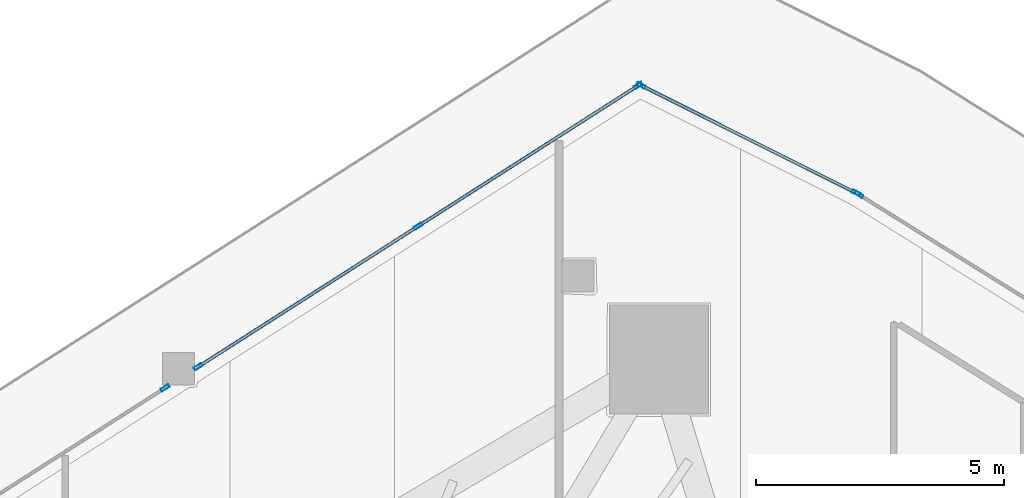
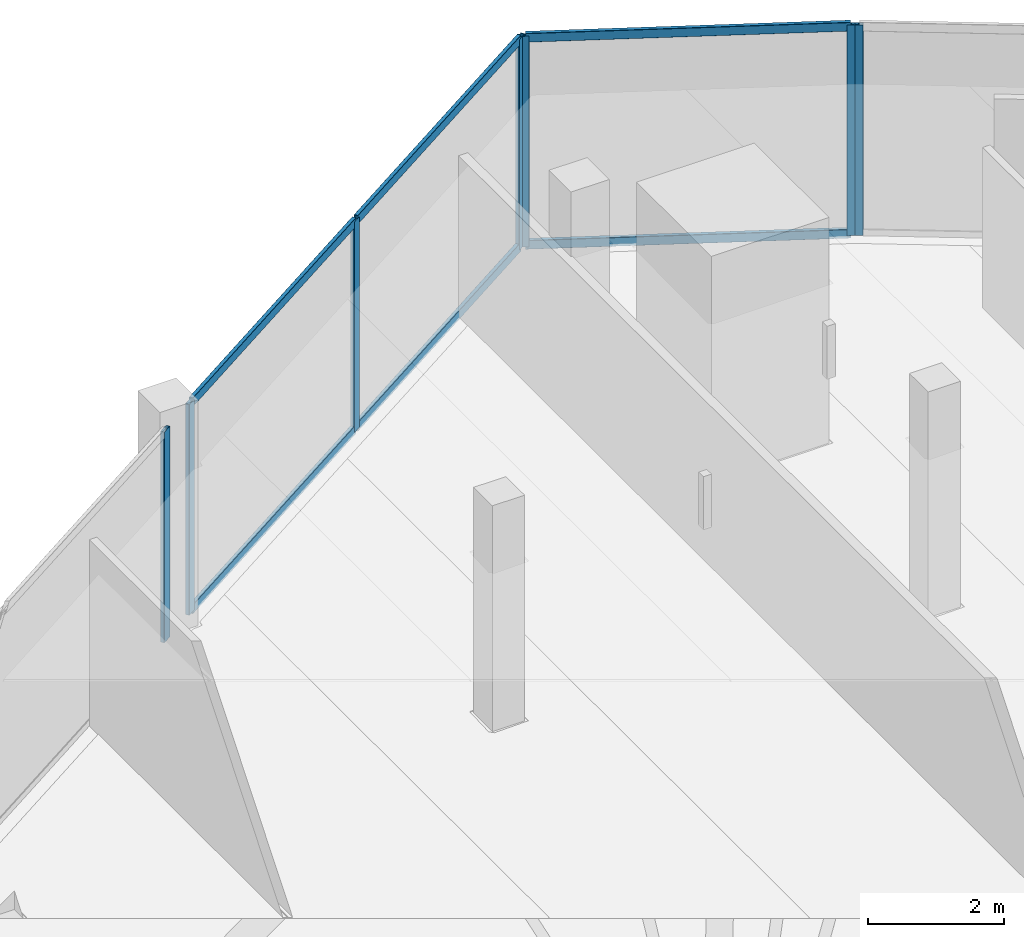
# One storey, part 20 of 35: 13 members, 4 elements without a shape of their own.
"""IFC4 building model written with IfcOpenShell, lengths in metres."""

from ifc_helpers import new_model, si_unit, direction, frame, origin, origin_2d, place, context, subcontext, project, spatial, hollow_rectangle, extrude, material, layer, layer_set, material_profile, profile_set, type_object, element, aggregate, save


model = new_model("IFC4")

# Units and contexts
model_context = context("Model", 3, precision=1e-05, world=origin(), true_north=direction((0.0, 1.0)))
body_context = subcontext(model_context, "Body", "Model", "MODEL_VIEW")
ifc_project = project(units=[si_unit("LENGTHUNIT", "METRE"), si_unit("AREAUNIT", "SQUARE_METRE"), si_unit("VOLUMEUNIT", "CUBIC_METRE"), si_unit("PLANEANGLEUNIT", "RADIAN"), si_unit("MASSUNIT", "GRAM", prefix="KILO")], contexts=[model_context])

# Site, building, storey
site_placement = place(None, origin())
site = spatial("IfcSite", under=ifc_project, at=site_placement, CompositionType="ELEMENT")
building_placement = place(site_placement, origin())
building = spatial("IfcBuilding", under=site, at=building_placement, Name="Qorvath Tower", CompositionType="ELEMENT")
storey_placement = place(building_placement, frame((0.0, 0.0, 130.050048828125)))
storey = spatial("IfcBuildingStorey", under=building, at=storey_placement, Name="L29", CompositionType="ELEMENT", Elevation=130.050048828125)

# Curtain wall, member
ifc_material_1 = material(Name="Anodised aluminium and triple low-E glass", Category="aluminium")
ifc_layer = layer(ifc_material_1, 0.179931640625)
ifc_layer_set = layer_set([ifc_layer], Name="CW-SYS-2")
curtain_wall_type = type_object("IfcCurtainWallType", Name="CW-SYS-2", PredefinedType="NOTDEFINED", material=ifc_layer_set)
curtain_wall_1_placement = place(storey_placement, origin())
curtain_wall_1 = element("IfcCurtainWall", 1, at=curtain_wall_1_placement, inside=storey, type_object=curtain_wall_type, Name="Curtain Wall CW-2 CW-T-L29-14.1", PredefinedType="NOTDEFINED")
ifc_material_2 = material(Name="Anodised aluminium 6063-T6", Category="aluminium")
ifc_material_profile_1 = material_profile(ifc_material_2, hollow_rectangle(XDim=0.06494140625, YDim=0.179931640625, WallThickness=0.00341796875, InnerFilletRadius=0.00341796875, OuterFilletRadius=0.007080078125, at=origin_2d()), Name="CWM 180x65")
ifc_profile_set_1 = profile_set([ifc_material_profile_1], Name="Anodised aluminium 6063-T6")
member_type_1 = type_object("IfcMemberType", Name="CWM-180", PredefinedType="MULLION", material=ifc_profile_set_1)
member_1_placement = place(storey_placement, frame((-11.310791015625, 28.572998046875, 0.0), z_axis=(0.0, 0.0, 1.0), x_axis=(-0.529503324069, -0.84830786263, 0.0)))
member_1 = element("IfcMember", 2, at=member_1_placement, type_object=member_type_1, Name="CW-2 mullion 3", PredefinedType="MULLION", context=body_context, shape_type="SweptSolid", body=[
    extrude(hollow_rectangle(XDim=0.06494140625, YDim=0.179931640625, WallThickness=0.00341796875, InnerFilletRadius=0.00341796875, OuterFilletRadius=0.007080078125, at=origin_2d()), origin(), (0.0, 0.0, 1.0), 3.780029296875),
])
aggregate(curtain_wall_1, [member_1])

# Curtain wall, members
curtain_wall_2_placement = place(storey_placement, origin())
curtain_wall_2 = element("IfcCurtainWall", 3, at=curtain_wall_2_placement, inside=storey, type_object=curtain_wall_type, Name="Curtain Wall CW-2 CW-T-L29-15.1", PredefinedType="NOTDEFINED")
member_2_placement = place(storey_placement, frame((-11.367431640625, 28.604736328125, 0.0), z_axis=(0.0, 0.0, 1.0), x_axis=(-0.447262398188, -0.894402787992, 0.0)))
member_2 = element("IfcMember", 4, at=member_2_placement, type_object=member_type_1, Name="CW-2 mullion 1", PredefinedType="MULLION", context=body_context, shape_type="SweptSolid", body=[
    extrude(hollow_rectangle(XDim=0.06494140625, YDim=0.179931640625, WallThickness=0.00341796875, InnerFilletRadius=0.00341796875, OuterFilletRadius=0.007080078125, at=origin_2d()), origin(), (0.0, 0.0, 1.0), 3.780029296875),
])
member_3_placement = place(storey_placement, frame((-15.707763671875, 30.775146484375, 0.0), z_axis=(0.0, 0.0, 1.0), x_axis=(-0.447262398188, -0.894402787992, 0.0)))
member_3 = element("IfcMember", 5, at=member_3_placement, type_object=member_type_1, Name="CW-2 mullion 2", PredefinedType="MULLION", context=body_context, shape_type="SweptSolid", body=[
    extrude(hollow_rectangle(XDim=0.06494140625, YDim=0.179931640625, WallThickness=0.00341796875, InnerFilletRadius=0.00341796875, OuterFilletRadius=0.007080078125, at=origin_2d()), origin(), (0.0, 0.0, 1.0), 3.780029296875),
])

curtain_wall_3_placement = place(storey_placement, origin())
curtain_wall_3 = element("IfcCurtainWall", 6, at=curtain_wall_3_placement, inside=storey, type_object=curtain_wall_type, Name="Curtain Wall CW-2 CW-T-L29-16.1", PredefinedType="NOTDEFINED")
member_4_placement = place(storey_placement, frame((-15.76416015625, 30.772216796875, 0.0), z_axis=(0.0, 0.0, 1.0), x_axis=(0.538548392681, -0.842594581481, 0.0)))
member_4 = element("IfcMember", 7, at=member_4_placement, type_object=member_type_1, Name="CW-2 mullion 1", PredefinedType="MULLION", context=body_context, shape_type="SweptSolid", body=[
    extrude(hollow_rectangle(XDim=0.06494140625, YDim=0.179931640625, WallThickness=0.00341796875, InnerFilletRadius=0.00341796875, OuterFilletRadius=0.007080078125, at=origin_2d()), origin(), (0.0, 0.0, 1.0), 3.780029296875),
])
member_5_placement = place(storey_placement, frame((-20.2021484375, 27.935546875, 0.0), z_axis=(0.0, 0.0, 1.0), x_axis=(0.538548392681, -0.842594581481, 0.0)))
member_5 = element("IfcMember", 8, at=member_5_placement, type_object=member_type_1, Name="CW-2 mullion 2", PredefinedType="MULLION", context=body_context, shape_type="SweptSolid", body=[
    extrude(hollow_rectangle(XDim=0.06494140625, YDim=0.179931640625, WallThickness=0.00341796875, InnerFilletRadius=0.00341796875, OuterFilletRadius=0.007080078125, at=origin_2d()), origin(), (0.0, 0.0, 1.0), 3.780029296875),
])
member_6_placement = place(storey_placement, frame((-24.64013671875, 25.09912109375, 0.0), z_axis=(0.0, 0.0, 1.0), x_axis=(0.538548392681, -0.842594581481, 0.0)))
member_6 = element("IfcMember", 9, at=member_6_placement, type_object=member_type_1, Name="CW-2 mullion 3", PredefinedType="MULLION", context=body_context, shape_type="SweptSolid", body=[
    extrude(hollow_rectangle(XDim=0.06494140625, YDim=0.179931640625, WallThickness=0.00341796875, InnerFilletRadius=0.00341796875, OuterFilletRadius=0.007080078125, at=origin_2d()), origin(), (0.0, 0.0, 1.0), 3.780029296875),
])

# Curtain wall, member
curtain_wall_4_placement = place(storey_placement, origin())
curtain_wall_4 = element("IfcCurtainWall", 10, at=curtain_wall_4_placement, inside=storey, type_object=curtain_wall_type, Name="Curtain Wall CW-2 CW-T-L29-16.2", PredefinedType="NOTDEFINED")
member_7_placement = place(storey_placement, frame((-25.3095703125, 24.671142578125, 0.0), z_axis=(0.0, 0.0, 1.0), x_axis=(0.538529520478, -0.842606643442, 0.0)))
member_7 = element("IfcMember", 11, at=member_7_placement, type_object=member_type_1, Name="CW-2 mullion 1", PredefinedType="MULLION", context=body_context, shape_type="SweptSolid", body=[
    extrude(hollow_rectangle(XDim=0.06494140625, YDim=0.179931640625, WallThickness=0.00341796875, InnerFilletRadius=0.00341796875, OuterFilletRadius=0.007080078125, at=origin_2d()), origin(), (0.0, 0.0, 1.0), 3.780029296875),
])
aggregate(curtain_wall_4, [member_7])

# Member
ifc_material_3 = material(Name="Anodised aluminium 6063-T6", Category="aluminium")
ifc_material_profile_2 = material_profile(ifc_material_3, hollow_rectangle(XDim=0.06494140625, YDim=0.159912109375, WallThickness=0.00341796875, InnerFilletRadius=0.00341796875, OuterFilletRadius=0.007080078125, at=origin_2d()), Name="CWT 160x65")
ifc_profile_set_2 = profile_set([ifc_material_profile_2], Name="Anodised aluminium 6063-T6")
member_type_2 = type_object("IfcMemberType", Name="CWT-160", PredefinedType="USERDEFINED", material=ifc_profile_set_2)
member_8_placement = place(storey_placement, frame((-11.396484375, 28.619140625, 0.032470703125), z_axis=(-0.894406793107, 0.447254388959, 0.0), x_axis=(-0.447254388959, -0.894406793107, 0.0)))
member_8 = element("IfcMember", 12, at=member_8_placement, type_object=member_type_2, Name="CW-2 transom 1.1", ObjectType="TRANSOM", PredefinedType="USERDEFINED", context=body_context, shape_type="SweptSolid", body=[
    extrude(hollow_rectangle(XDim=0.06494140625, YDim=0.159912109375, WallThickness=0.00341796875, InnerFilletRadius=0.00341796875, OuterFilletRadius=0.007080078125, at=origin_2d()), origin(), (0.0, 0.0, 1.0), 4.787841796875),
])

member_9_placement = place(storey_placement, frame((-11.396484375, 28.619140625, 3.74755859375), z_axis=(-0.894406793107, 0.447254388959, 0.0), x_axis=(-0.447254388959, -0.894406793107, 0.0)))
member_9 = element("IfcMember", 13, at=member_9_placement, type_object=member_type_2, Name="CW-2 transom 1.2", ObjectType="TRANSOM", PredefinedType="USERDEFINED", context=body_context, shape_type="SweptSolid", body=[
    extrude(hollow_rectangle(XDim=0.06494140625, YDim=0.159912109375, WallThickness=0.00341796875, InnerFilletRadius=0.00341796875, OuterFilletRadius=0.007080078125, at=origin_2d()), origin(), (0.0, 0.0, 1.0), 4.787841796875),
])

aggregate(curtain_wall_2, [member_2, member_3, member_8, member_9])

member_10_placement = place(storey_placement, frame((-15.79150390625, 30.754638671875, 0.032470703125), z_axis=(-0.842602796166, -0.538535540047, 0.0), x_axis=(0.538535540047, -0.842602796166, 0.0)))
member_10 = element("IfcMember", 14, at=member_10_placement, type_object=member_type_2, Name="CW-2 transom 1.1", ObjectType="TRANSOM", PredefinedType="USERDEFINED", context=body_context, shape_type="SweptSolid", body=[
    extrude(hollow_rectangle(XDim=0.06494140625, YDim=0.159912109375, WallThickness=0.00341796875, InnerFilletRadius=0.00341796875, OuterFilletRadius=0.007080078125, at=origin_2d()), origin(), (0.0, 0.0, 1.0), 5.2021484375),
])

member_11_placement = place(storey_placement, frame((-15.79150390625, 30.754638671875, 3.74755859375), z_axis=(-0.842602796166, -0.538535540047, 0.0), x_axis=(0.538535540047, -0.842602796166, 0.0)))
member_11 = element("IfcMember", 15, at=member_11_placement, type_object=member_type_2, Name="CW-2 transom 1.2", ObjectType="TRANSOM", PredefinedType="USERDEFINED", context=body_context, shape_type="SweptSolid", body=[
    extrude(hollow_rectangle(XDim=0.06494140625, YDim=0.159912109375, WallThickness=0.00341796875, InnerFilletRadius=0.00341796875, OuterFilletRadius=0.007080078125, at=origin_2d()), origin(), (0.0, 0.0, 1.0), 5.2021484375),
])

member_12_placement = place(storey_placement, frame((-20.2294921875, 27.91796875, 0.032470703125), z_axis=(-0.842602796166, -0.538535540047, 0.0), x_axis=(0.538535540047, -0.842602796166, 0.0)))
member_12 = element("IfcMember", 16, at=member_12_placement, type_object=member_type_2, Name="CW-2 transom 2.1", ObjectType="TRANSOM", PredefinedType="USERDEFINED", context=body_context, shape_type="SweptSolid", body=[
    extrude(hollow_rectangle(XDim=0.06494140625, YDim=0.159912109375, WallThickness=0.00341796875, InnerFilletRadius=0.00341796875, OuterFilletRadius=0.007080078125, at=origin_2d()), origin(), (0.0, 0.0, 1.0), 5.2021484375),
])

member_13_placement = place(storey_placement, frame((-20.2294921875, 27.91796875, 3.74755859375), z_axis=(-0.842602796166, -0.538535540047, 0.0), x_axis=(0.538535540047, -0.842602796166, 0.0)))
member_13 = element("IfcMember", 17, at=member_13_placement, type_object=member_type_2, Name="CW-2 transom 2.2", ObjectType="TRANSOM", PredefinedType="USERDEFINED", context=body_context, shape_type="SweptSolid", body=[
    extrude(hollow_rectangle(XDim=0.06494140625, YDim=0.159912109375, WallThickness=0.00341796875, InnerFilletRadius=0.00341796875, OuterFilletRadius=0.007080078125, at=origin_2d()), origin(), (0.0, 0.0, 1.0), 5.2021484375),
])

aggregate(curtain_wall_3, [member_4, member_5, member_6, member_10, member_11, member_12, member_13])

save(model, "model.ifc")
